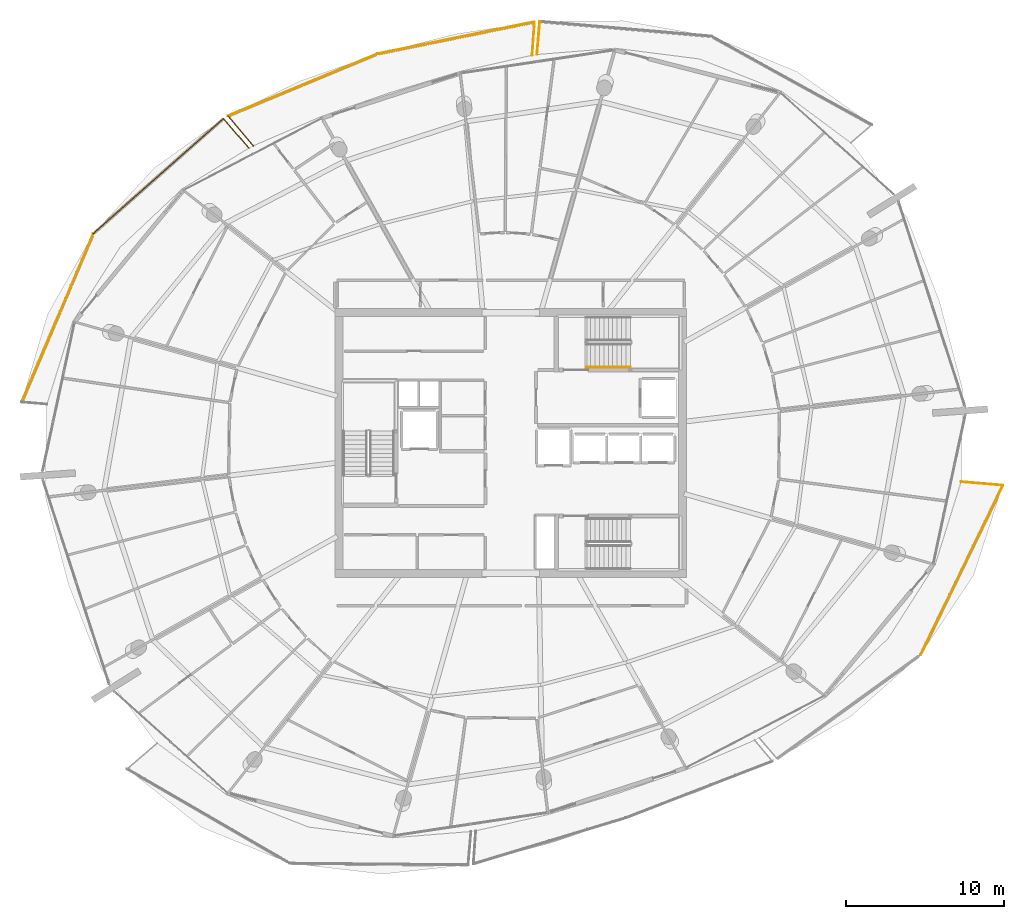
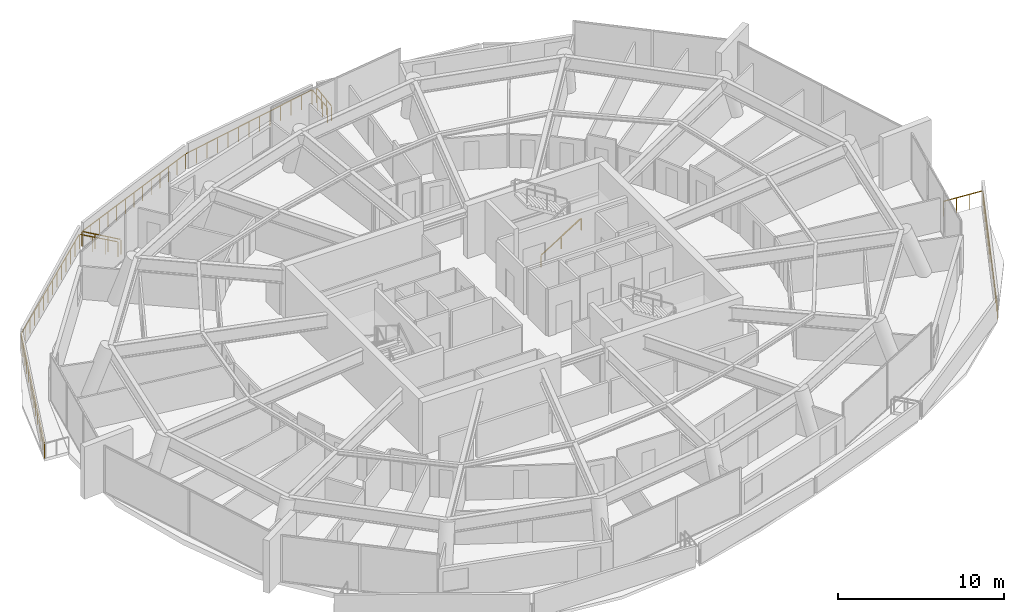
# One storey, part 25 of 27: 11 railings.
"""IFC4 building model written with IfcOpenShell, lengths in metres."""

from ifc_helpers import new_model, si_unit, direction, frame, origin, origin_2d, place, context, subcontext, project, spatial, rectangle, extrude, material, type_object, element, save


model = new_model("IFC4")

# Units and contexts
model_context = context("Model", 3, precision=1e-05, world=origin(), true_north=direction((0.0, 1.0)))
body_context = subcontext(model_context, "Body", "Model", "MODEL_VIEW")
ifc_project = project(units=[si_unit("LENGTHUNIT", "METRE"), si_unit("AREAUNIT", "SQUARE_METRE"), si_unit("VOLUMEUNIT", "CUBIC_METRE"), si_unit("PLANEANGLEUNIT", "RADIAN"), si_unit("MASSUNIT", "GRAM", prefix="KILO")], contexts=[model_context])

# Site, building, storey
site_placement = place(None, origin())
site = spatial("IfcSite", under=ifc_project, at=site_placement, CompositionType="ELEMENT")
building_placement = place(site_placement, origin())
building = spatial("IfcBuilding", under=site, at=building_placement, Name="Kazma Halo Residences", CompositionType="ELEMENT")
storey_placement = place(building_placement, frame((0.0, 0.0, 306.0)))
storey = spatial("IfcBuildingStorey", under=building, at=storey_placement, Name="L77", CompositionType="ELEMENT", Elevation=306.0)

# Railings
ifc_material_1 = material(Name="Aluminium AW-6063 T6 Brushed Cap Rail", Category="aluminium")
railing_type_1 = type_object("IfcRailingType", Name="RLG-BAL-CAP-1120", PredefinedType="BALUSTRADE", material=ifc_material_1)
railing_1_placement = place(storey_placement, frame((50.26416015625, 68.68408203125, 0.0)))
element("IfcRailing", 1, at=railing_1_placement, inside=storey, type_object=railing_type_1, Name="L77 NE wave balcony guard 4", PredefinedType="BALUSTRADE", context=body_context, shape_type="SweptSolid", body=[
    extrude(rectangle(XDim=0.050048828125, YDim=0.050048828125, at=origin_2d()), frame((-0.003662109375, -0.04248046875, 1.09521484375), z_axis=(-0.084517418668, -0.996422001936, 0.0), x_axis=(0.996422001936, -0.084517418668, 0.0)), (0.0, 0.0, 1.0), 2.014892578125),
    extrude(rectangle(XDim=0.0400390625, YDim=0.0400390625, at=origin_2d()), origin(), (0.0, 0.0, 1.0), 1.05810546875),
    extrude(rectangle(XDim=0.0400390625, YDim=0.0400390625, at=origin_2d()), frame((-0.05908203125, -0.697509765625, 0.0)), (0.0, 0.0, 1.0), 1.05810546875),
    extrude(rectangle(XDim=0.0400390625, YDim=0.0400390625, at=origin_2d()), frame((-0.118408203125, -1.39501953125, 0.0)), (0.0, 0.0, 1.0), 1.05810546875),
    extrude(rectangle(XDim=0.0400390625, YDim=0.0400390625, at=origin_2d()), frame((-0.177490234375, -2.092529296875, 0.0)), (0.0, 0.0, 1.0), 1.05810546875),
])
railing_2_placement = place(storey_placement, frame((49.781005859375, 66.545654296875, 0.0)))
element("IfcRailing", 2, at=railing_2_placement, inside=storey, type_object=railing_type_1, Name="L77 NNW wave balcony guard 1", PredefinedType="BALUSTRADE", context=body_context, shape_type="SweptSolid", body=[
    extrude(rectangle(XDim=0.050048828125, YDim=0.050048828125, at=origin_2d()), frame((0.003173828125, 0.04248046875, 1.09521484375), z_axis=(0.072387443062, 0.997376587898, 0.0), x_axis=(-0.997376587898, 0.072387443062, 0.0)), (0.0, 0.0, 1.0), 2.029541015625),
    extrude(rectangle(XDim=0.0400390625, YDim=0.0400390625, at=origin_2d()), origin(), (0.0, 0.0, 1.0), 1.05810546875),
    extrude(rectangle(XDim=0.0400390625, YDim=0.0400390625, at=origin_2d()), frame((0.051025390625, 0.703125, 0.0)), (0.0, 0.0, 1.0), 1.05810546875),
    extrude(rectangle(XDim=0.0400390625, YDim=0.0400390625, at=origin_2d()), frame((0.10205078125, 1.406005859375, 0.0)), (0.0, 0.0, 1.0), 1.05810546875),
    extrude(rectangle(XDim=0.0400390625, YDim=0.0400390625, at=origin_2d()), frame((0.153076171875, 2.109130859375, 0.0)), (0.0, 0.0, 1.0), 1.05810546875),
])
railing_3_placement = place(storey_placement, frame((49.93408203125, 68.65478515625, 0.0)))
element("IfcRailing", 3, at=railing_3_placement, inside=storey, type_object=railing_type_1, Name="L77 NNW wave balcony guard 2", PredefinedType="BALUSTRADE", context=body_context, shape_type="SweptSolid", body=[
    extrude(rectangle(XDim=0.050048828125, YDim=0.050048828125, at=origin_2d()), frame((-0.041748046875, -0.008544921875, 1.09521484375), z_axis=(-0.979962951402, -0.199179853098, 0.0), x_axis=(0.199179853098, -0.979962951402, 0.0)), (0.0, 0.0, 1.0), 10.056640625),
    extrude(rectangle(XDim=0.0400390625, YDim=0.0400390625, at=origin_2d()), origin(), (0.0, 0.0, 1.0), 1.05810546875),
    extrude(rectangle(XDim=0.0400390625, YDim=0.0400390625, at=origin_2d()), frame((-0.828125, -0.16845703125, 0.0)), (0.0, 0.0, 1.0), 1.05810546875),
    extrude(rectangle(XDim=0.0400390625, YDim=0.0400390625, at=origin_2d()), frame((-1.656494140625, -0.336669921875, 0.0)), (0.0, 0.0, 1.0), 1.05810546875),
    extrude(rectangle(XDim=0.0400390625, YDim=0.0400390625, at=origin_2d()), frame((-2.484619140625, -0.5048828125, 0.0)), (0.0, 0.0, 1.0), 1.05810546875),
    extrude(rectangle(XDim=0.0400390625, YDim=0.0400390625, at=origin_2d()), frame((-3.312744140625, -0.67333984375, 0.0)), (0.0, 0.0, 1.0), 1.05810546875),
    extrude(rectangle(XDim=0.0400390625, YDim=0.0400390625, at=origin_2d()), frame((-4.14111328125, -0.841796875, 0.0)), (0.0, 0.0, 1.0), 1.05810546875),
    extrude(rectangle(XDim=0.0400390625, YDim=0.0400390625, at=origin_2d()), frame((-4.96923828125, -1.010009765625, 0.0)), (0.0, 0.0, 1.0), 1.05810546875),
    extrude(rectangle(XDim=0.0400390625, YDim=0.0400390625, at=origin_2d()), frame((-5.79736328125, -1.17822265625, 0.0)), (0.0, 0.0, 1.0), 1.05810546875),
    extrude(rectangle(XDim=0.0400390625, YDim=0.0400390625, at=origin_2d()), frame((-6.625732421875, -1.3466796875, 0.0)), (0.0, 0.0, 1.0), 1.05810546875),
    extrude(rectangle(XDim=0.0400390625, YDim=0.0400390625, at=origin_2d()), frame((-7.453857421875, -1.51513671875, 0.0)), (0.0, 0.0, 1.0), 1.05810546875),
    extrude(rectangle(XDim=0.0400390625, YDim=0.0400390625, at=origin_2d()), frame((-8.281982421875, -1.683349609375, 0.0)), (0.0, 0.0, 1.0), 1.05810546875),
    extrude(rectangle(XDim=0.0400390625, YDim=0.0400390625, at=origin_2d()), frame((-9.1103515625, -1.8515625, 0.0)), (0.0, 0.0, 1.0), 1.05810546875),
    extrude(rectangle(XDim=0.0400390625, YDim=0.0400390625, at=origin_2d()), frame((-9.9384765625, -2.02001953125, 0.0)), (0.0, 0.0, 1.0), 1.05810546875),
])
railing_4_placement = place(storey_placement, frame((39.99560546875, 66.634765625, 0.0)))
element("IfcRailing", 4, at=railing_4_placement, inside=storey, type_object=railing_type_1, Name="L77 NNW wave balcony guard 3", PredefinedType="BALUSTRADE", context=body_context, shape_type="SweptSolid", body=[
    extrude(rectangle(XDim=0.050048828125, YDim=0.050048828125, at=origin_2d()), frame((-0.039306640625, -0.016357421875, 1.09521484375), z_axis=(-0.923571762899, -0.383425610485, 0.0), x_axis=(0.383425610485, -0.923571762899, 0.0)), (0.0, 0.0, 1.0), 10.16064453125),
    extrude(rectangle(XDim=0.0400390625, YDim=0.0400390625, at=origin_2d()), origin(), (0.0, 0.0, 1.0), 1.05810546875),
    extrude(rectangle(XDim=0.0400390625, YDim=0.0400390625, at=origin_2d()), frame((-0.78857421875, -0.327392578125, 0.0)), (0.0, 0.0, 1.0), 1.05810546875),
    extrude(rectangle(XDim=0.0400390625, YDim=0.0400390625, at=origin_2d()), frame((-1.5771484375, -0.65478515625, 0.0)), (0.0, 0.0, 1.0), 1.05810546875),
    extrude(rectangle(XDim=0.0400390625, YDim=0.0400390625, at=origin_2d()), frame((-2.36572265625, -0.982177734375, 0.0)), (0.0, 0.0, 1.0), 1.05810546875),
    extrude(rectangle(XDim=0.0400390625, YDim=0.0400390625, at=origin_2d()), frame((-3.154296875, -1.3095703125, 0.0)), (0.0, 0.0, 1.0), 1.05810546875),
    extrude(rectangle(XDim=0.0400390625, YDim=0.0400390625, at=origin_2d()), frame((-3.94287109375, -1.636962890625, 0.0)), (0.0, 0.0, 1.0), 1.05810546875),
    extrude(rectangle(XDim=0.0400390625, YDim=0.0400390625, at=origin_2d()), frame((-4.7314453125, -1.96435546875, 0.0)), (0.0, 0.0, 1.0), 1.05810546875),
    extrude(rectangle(XDim=0.0400390625, YDim=0.0400390625, at=origin_2d()), frame((-5.519775390625, -2.29150390625, 0.0)), (0.0, 0.0, 1.0), 1.05810546875),
    extrude(rectangle(XDim=0.0400390625, YDim=0.0400390625, at=origin_2d()), frame((-6.308349609375, -2.618896484375, 0.0)), (0.0, 0.0, 1.0), 1.05810546875),
    extrude(rectangle(XDim=0.0400390625, YDim=0.0400390625, at=origin_2d()), frame((-7.096923828125, -2.9462890625, 0.0)), (0.0, 0.0, 1.0), 1.05810546875),
    extrude(rectangle(XDim=0.0400390625, YDim=0.0400390625, at=origin_2d()), frame((-7.885498046875, -3.273681640625, 0.0)), (0.0, 0.0, 1.0), 1.05810546875),
    extrude(rectangle(XDim=0.0400390625, YDim=0.0400390625, at=origin_2d()), frame((-8.674072265625, -3.60107421875, 0.0)), (0.0, 0.0, 1.0), 1.05810546875),
    extrude(rectangle(XDim=0.0400390625, YDim=0.0400390625, at=origin_2d()), frame((-9.462646484375, -3.928466796875, 0.0)), (0.0, 0.0, 1.0), 1.05810546875),
])
railing_5_placement = place(storey_placement, frame((30.532958984375, 62.706298828125, 0.0)))
element("IfcRailing", 5, at=railing_5_placement, inside=storey, type_object=railing_type_1, Name="L77 NNW wave balcony guard 4", PredefinedType="BALUSTRADE", context=body_context, shape_type="SweptSolid", body=[
    extrude(rectangle(XDim=0.050048828125, YDim=0.050048828125, at=origin_2d()), frame((0.02734375, -0.032470703125, 1.09521484375), z_axis=(0.644754098317, -0.764390052724, 0.0), x_axis=(0.764390052724, 0.644754098317, 0.0)), (0.0, 0.0, 1.0), 2.394287109375),
    extrude(rectangle(XDim=0.0400390625, YDim=0.0400390625, at=origin_2d()), origin(), (0.0, 0.0, 1.0), 1.05810546875),
    extrude(rectangle(XDim=0.0400390625, YDim=0.0400390625, at=origin_2d()), frame((0.532958984375, -0.6318359375, 0.0)), (0.0, 0.0, 1.0), 1.05810546875),
    extrude(rectangle(XDim=0.0400390625, YDim=0.0400390625, at=origin_2d()), frame((1.065673828125, -1.263427734375, 0.0)), (0.0, 0.0, 1.0), 1.05810546875),
    extrude(rectangle(XDim=0.0400390625, YDim=0.0400390625, at=origin_2d()), frame((1.5986328125, -1.895263671875, 0.0)), (0.0, 0.0, 1.0), 1.05810546875),
])
railing_6_placement = place(storey_placement, frame((31.857421875, 60.66845703125, 0.0)))
element("IfcRailing", 6, at=railing_6_placement, inside=storey, type_object=railing_type_1, Name="L77 NW wave balcony guard 1", PredefinedType="BALUSTRADE", context=body_context, shape_type="SweptSolid", body=[
    extrude(rectangle(XDim=0.050048828125, YDim=0.050048828125, at=origin_2d()), frame((-0.02783203125, 0.0322265625, 1.09521484375), z_axis=(-0.6541137324, 0.756396209063, 0.0), x_axis=(-0.756396209063, -0.6541137324, 0.0)), (0.0, 0.0, 1.0), 2.385498046875),
    extrude(rectangle(XDim=0.0400390625, YDim=0.0400390625, at=origin_2d()), origin(), (0.0, 0.0, 1.0), 1.05810546875),
    extrude(rectangle(XDim=0.0400390625, YDim=0.0400390625, at=origin_2d()), frame((-0.53857421875, 0.622802734375, 0.0)), (0.0, 0.0, 1.0), 1.05810546875),
    extrude(rectangle(XDim=0.0400390625, YDim=0.0400390625, at=origin_2d()), frame((-1.077392578125, 1.245849609375, 0.0)), (0.0, 0.0, 1.0), 1.05810546875),
    extrude(rectangle(XDim=0.0400390625, YDim=0.0400390625, at=origin_2d()), frame((-1.615966796875, 1.86865234375, 0.0)), (0.0, 0.0, 1.0), 1.05810546875),
])
railing_7_placement = place(storey_placement, frame((30.241455078125, 62.537109375, 0.0)))
element("IfcRailing", 7, at=railing_7_placement, inside=storey, type_object=railing_type_1, Name="L77 NW wave balcony guard 2", PredefinedType="BALUSTRADE", context=body_context, shape_type="SweptSolid", body=[
    extrude(rectangle(XDim=0.050048828125, YDim=0.050048828125, at=origin_2d()), frame((-0.031982421875, -0.028076171875, 1.09521484375), z_axis=(-0.74896945462, -0.662604524619, 0.0), x_axis=(0.662604524619, -0.74896945462, 0.0)), (0.0, 0.0, 1.0), 10.9169921875),
    extrude(rectangle(XDim=0.0400390625, YDim=0.0400390625, at=origin_2d()), origin(), (0.0, 0.0, 1.0), 1.05810546875),
    extrude(rectangle(XDim=0.0400390625, YDim=0.0400390625, at=origin_2d()), frame((-0.6337890625, -0.560791015625, 0.0)), (0.0, 0.0, 1.0), 1.05810546875),
    extrude(rectangle(XDim=0.0400390625, YDim=0.0400390625, at=origin_2d()), frame((-1.267822265625, -1.12158203125, 0.0)), (0.0, 0.0, 1.0), 1.05810546875),
    extrude(rectangle(XDim=0.0400390625, YDim=0.0400390625, at=origin_2d()), frame((-1.901611328125, -1.682373046875, 0.0)), (0.0, 0.0, 1.0), 1.05810546875),
    extrude(rectangle(XDim=0.0400390625, YDim=0.0400390625, at=origin_2d()), frame((-2.535400390625, -2.2431640625, 0.0)), (0.0, 0.0, 1.0), 1.05810546875),
    extrude(rectangle(XDim=0.0400390625, YDim=0.0400390625, at=origin_2d()), frame((-3.16943359375, -2.803955078125, 0.0)), (0.0, 0.0, 1.0), 1.05810546875),
    extrude(rectangle(XDim=0.0400390625, YDim=0.0400390625, at=origin_2d()), frame((-3.80322265625, -3.36474609375, 0.0)), (0.0, 0.0, 1.0), 1.05810546875),
    extrude(rectangle(XDim=0.0400390625, YDim=0.0400390625, at=origin_2d()), frame((-4.43701171875, -3.92529296875, 0.0)), (0.0, 0.0, 1.0), 1.05810546875),
    extrude(rectangle(XDim=0.0400390625, YDim=0.0400390625, at=origin_2d()), frame((-5.07080078125, -4.486083984375, 0.0)), (0.0, 0.0, 1.0), 1.05810546875),
    extrude(rectangle(XDim=0.0400390625, YDim=0.0400390625, at=origin_2d()), frame((-5.704833984375, -5.046875, 0.0)), (0.0, 0.0, 1.0), 1.05810546875),
    extrude(rectangle(XDim=0.0400390625, YDim=0.0400390625, at=origin_2d()), frame((-6.338623046875, -5.607666015625, 0.0)), (0.0, 0.0, 1.0), 1.05810546875),
    extrude(rectangle(XDim=0.0400390625, YDim=0.0400390625, at=origin_2d()), frame((-6.972412109375, -6.16845703125, 0.0)), (0.0, 0.0, 1.0), 1.05810546875),
    extrude(rectangle(XDim=0.0400390625, YDim=0.0400390625, at=origin_2d()), frame((-7.6064453125, -6.729248046875, 0.0)), (0.0, 0.0, 1.0), 1.05810546875),
    extrude(rectangle(XDim=0.0400390625, YDim=0.0400390625, at=origin_2d()), frame((-8.240234375, -7.2900390625, 0.0)), (0.0, 0.0, 1.0), 1.05810546875),
])
railing_8_placement = place(storey_placement, frame((22.001220703125, 55.2470703125, 0.0)))
element("IfcRailing", 8, at=railing_8_placement, inside=storey, type_object=railing_type_1, Name="L77 NW wave balcony guard 3", PredefinedType="BALUSTRADE", context=body_context, shape_type="SweptSolid", body=[
    extrude(rectangle(XDim=0.050048828125, YDim=0.050048828125, at=origin_2d()), frame((-0.0166015625, -0.0390625, 1.09521484375), z_axis=(-0.391225463784, -0.920294863882, 0.0), x_axis=(0.920294863882, -0.391225463784, 0.0)), (0.0, 0.0, 1.0), 11.49462890625),
    extrude(rectangle(XDim=0.0400390625, YDim=0.0400390625, at=origin_2d()), origin(), (0.0, 0.0, 1.0), 1.05810546875),
    extrude(rectangle(XDim=0.0400390625, YDim=0.0400390625, at=origin_2d()), frame((-0.348388671875, -0.81982421875, 0.0)), (0.0, 0.0, 1.0), 1.05810546875),
    extrude(rectangle(XDim=0.0400390625, YDim=0.0400390625, at=origin_2d()), frame((-0.697021484375, -1.639404296875, 0.0)), (0.0, 0.0, 1.0), 1.05810546875),
    extrude(rectangle(XDim=0.0400390625, YDim=0.0400390625, at=origin_2d()), frame((-1.04541015625, -2.459228515625, 0.0)), (0.0, 0.0, 1.0), 1.05810546875),
    extrude(rectangle(XDim=0.0400390625, YDim=0.0400390625, at=origin_2d()), frame((-1.39404296875, -3.279052734375, 0.0)), (0.0, 0.0, 1.0), 1.05810546875),
    extrude(rectangle(XDim=0.0400390625, YDim=0.0400390625, at=origin_2d()), frame((-1.742431640625, -4.0986328125, 0.0)), (0.0, 0.0, 1.0), 1.05810546875),
    extrude(rectangle(XDim=0.0400390625, YDim=0.0400390625, at=origin_2d()), frame((-2.0908203125, -4.91845703125, 0.0)), (0.0, 0.0, 1.0), 1.05810546875),
    extrude(rectangle(XDim=0.0400390625, YDim=0.0400390625, at=origin_2d()), frame((-2.439453125, -5.73828125, 0.0)), (0.0, 0.0, 1.0), 1.05810546875),
    extrude(rectangle(XDim=0.0400390625, YDim=0.0400390625, at=origin_2d()), frame((-2.787841796875, -6.55810546875, 0.0)), (0.0, 0.0, 1.0), 1.05810546875),
    extrude(rectangle(XDim=0.0400390625, YDim=0.0400390625, at=origin_2d()), frame((-3.13623046875, -7.377685546875, 0.0)), (0.0, 0.0, 1.0), 1.05810546875),
    extrude(rectangle(XDim=0.0400390625, YDim=0.0400390625, at=origin_2d()), frame((-3.48486328125, -8.197509765625, 0.0)), (0.0, 0.0, 1.0), 1.05810546875),
    extrude(rectangle(XDim=0.0400390625, YDim=0.0400390625, at=origin_2d()), frame((-3.833251953125, -9.017333984375, 0.0)), (0.0, 0.0, 1.0), 1.05810546875),
    extrude(rectangle(XDim=0.0400390625, YDim=0.0400390625, at=origin_2d()), frame((-4.181884765625, -9.8369140625, 0.0)), (0.0, 0.0, 1.0), 1.05810546875),
    extrude(rectangle(XDim=0.0400390625, YDim=0.0400390625, at=origin_2d()), frame((-4.5302734375, -10.65673828125, 0.0)), (0.0, 0.0, 1.0), 1.05810546875),
])
railing_9_placement = place(storey_placement, frame((74.353271484375, 28.572265625, 0.0)))
element("IfcRailing", 9, at=railing_9_placement, inside=storey, type_object=railing_type_1, Name="L77 SE wave balcony guard 3", PredefinedType="BALUSTRADE", context=body_context, shape_type="SweptSolid", body=[
    extrude(rectangle(XDim=0.050048828125, YDim=0.050048828125, at=origin_2d()), frame((0.0185546875, 0.038330078125, 1.09521484375), z_axis=(0.436275512169, 0.899813134757, 0.0), x_axis=(-0.899813134757, 0.436275512169, 0.0)), (0.0, 0.0, 1.0), 11.861328125),
    extrude(rectangle(XDim=0.0400390625, YDim=0.0400390625, at=origin_2d()), origin(), (0.0, 0.0, 1.0), 1.05810546875),
    extrude(rectangle(XDim=0.0400390625, YDim=0.0400390625, at=origin_2d()), frame((0.372314453125, 0.767822265625, 0.0)), (0.0, 0.0, 1.0), 1.05810546875),
    extrude(rectangle(XDim=0.0400390625, YDim=0.0400390625, at=origin_2d()), frame((0.74462890625, 1.53564453125, 0.0)), (0.0, 0.0, 1.0), 1.05810546875),
    extrude(rectangle(XDim=0.0400390625, YDim=0.0400390625, at=origin_2d()), frame((1.116943359375, 2.303466796875, 0.0)), (0.0, 0.0, 1.0), 1.05810546875),
    extrude(rectangle(XDim=0.0400390625, YDim=0.0400390625, at=origin_2d()), frame((1.489013671875, 3.0712890625, 0.0)), (0.0, 0.0, 1.0), 1.05810546875),
    extrude(rectangle(XDim=0.0400390625, YDim=0.0400390625, at=origin_2d()), frame((1.861328125, 3.839111328125, 0.0)), (0.0, 0.0, 1.0), 1.05810546875),
    extrude(rectangle(XDim=0.0400390625, YDim=0.0400390625, at=origin_2d()), frame((2.233642578125, 4.60693359375, 0.0)), (0.0, 0.0, 1.0), 1.05810546875),
    extrude(rectangle(XDim=0.0400390625, YDim=0.0400390625, at=origin_2d()), frame((2.60595703125, 5.374755859375, 0.0)), (0.0, 0.0, 1.0), 1.05810546875),
    extrude(rectangle(XDim=0.0400390625, YDim=0.0400390625, at=origin_2d()), frame((2.978271484375, 6.142578125, 0.0)), (0.0, 0.0, 1.0), 1.05810546875),
    extrude(rectangle(XDim=0.0400390625, YDim=0.0400390625, at=origin_2d()), frame((3.3505859375, 6.910400390625, 0.0)), (0.0, 0.0, 1.0), 1.05810546875),
    extrude(rectangle(XDim=0.0400390625, YDim=0.0400390625, at=origin_2d()), frame((3.722900390625, 7.67822265625, 0.0)), (0.0, 0.0, 1.0), 1.05810546875),
    extrude(rectangle(XDim=0.0400390625, YDim=0.0400390625, at=origin_2d()), frame((4.094970703125, 8.446044921875, 0.0)), (0.0, 0.0, 1.0), 1.05810546875),
    extrude(rectangle(XDim=0.0400390625, YDim=0.0400390625, at=origin_2d()), frame((4.46728515625, 9.2138671875, 0.0)), (0.0, 0.0, 1.0), 1.05810546875),
    extrude(rectangle(XDim=0.0400390625, YDim=0.0400390625, at=origin_2d()), frame((4.839599609375, 9.981689453125, 0.0)), (0.0, 0.0, 1.0), 1.05810546875),
    extrude(rectangle(XDim=0.0400390625, YDim=0.0400390625, at=origin_2d()), frame((5.2119140625, 10.74951171875, 0.0)), (0.0, 0.0, 1.0), 1.05810546875),
])
railing_10_placement = place(storey_placement, frame((79.565185546875, 39.32177734375, 0.0)))
element("IfcRailing", 10, at=railing_10_placement, inside=storey, type_object=railing_type_1, Name="L77 SE wave balcony guard 4", PredefinedType="BALUSTRADE", context=body_context, shape_type="SweptSolid", body=[
    extrude(rectangle(XDim=0.050048828125, YDim=0.050048828125, at=origin_2d()), frame((-0.04248046875, 0.003662109375, 1.09521484375), z_axis=(-0.996420254118, 0.084538022117, 0.0), x_axis=(-0.084538022117, -0.996420254118, 0.0)), (0.0, 0.0, 1.0), 2.554443359375),
    extrude(rectangle(XDim=0.0400390625, YDim=0.0400390625, at=origin_2d()), origin(), (0.0, 0.0, 1.0), 1.05810546875),
    extrude(rectangle(XDim=0.0400390625, YDim=0.0400390625, at=origin_2d()), frame((-0.876708984375, 0.074462890625, 0.0)), (0.0, 0.0, 1.0), 1.05810546875),
    extrude(rectangle(XDim=0.0400390625, YDim=0.0400390625, at=origin_2d()), frame((-1.75341796875, 0.148681640625, 0.0)), (0.0, 0.0, 1.0), 1.05810546875),
    extrude(rectangle(XDim=0.0400390625, YDim=0.0400390625, at=origin_2d()), frame((-2.630126953125, 0.22314453125, 0.0)), (0.0, 0.0, 1.0), 1.05810546875),
])
ifc_material_2 = material(Name="Brushed Stainless Steel", Category="steel")
railing_type_2 = type_object("IfcRailingType", Name="RLG-STAIR-HND-900", PredefinedType="HANDRAIL", material=ifc_material_2)
railing_11_placement = place(storey_placement, frame((53.199951171875, 46.800048828125, 0.175048828125)))
element("IfcRailing", 11, at=railing_11_placement, inside=storey, type_object=railing_type_2, Name="L77 ST-02 stair handrail 1", PredefinedType="HANDRAIL", context=body_context, shape_type="SweptSolid", body=[
    extrude(rectangle(XDim=0.050048828125, YDim=0.050048828125, at=origin_2d()), frame((0.0361328125, 0.0, 0.8974609375), z_axis=(0.848002457836, 0.0, 0.529992293815), x_axis=(0.0, 1.0, 0.0)), (0.0, 0.0, 1.0), 3.216796875),
    extrude(rectangle(XDim=0.0400390625, YDim=0.0400390625, at=origin_2d()), origin(), (0.0, 0.0, 1.0), 0.837890625),
    extrude(rectangle(XDim=0.0400390625, YDim=0.0400390625, at=origin_2d()), frame((1.39990234375, 0.0, 0.875)), (0.0, 0.0, 1.0), 0.837890625),
    extrude(rectangle(XDim=0.0400390625, YDim=0.0400390625, at=origin_2d()), frame((2.800048828125, 0.0, 1.75)), (0.0, 0.0, 1.0), 0.837890625),
])

save(model, "model.ifc")
